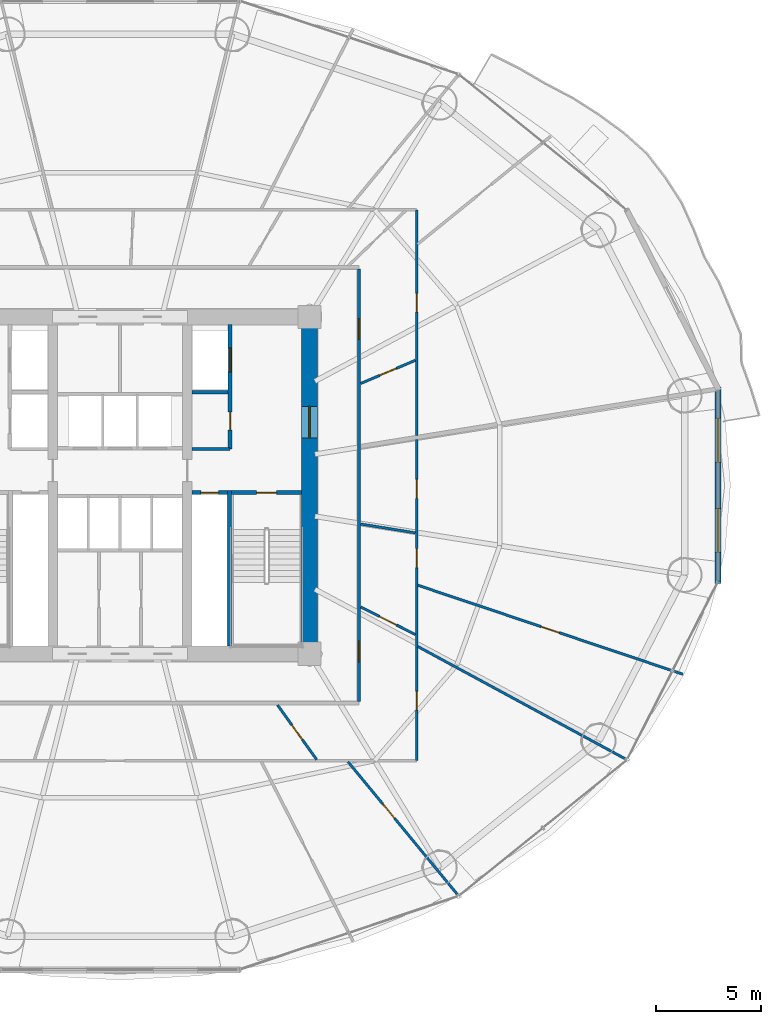
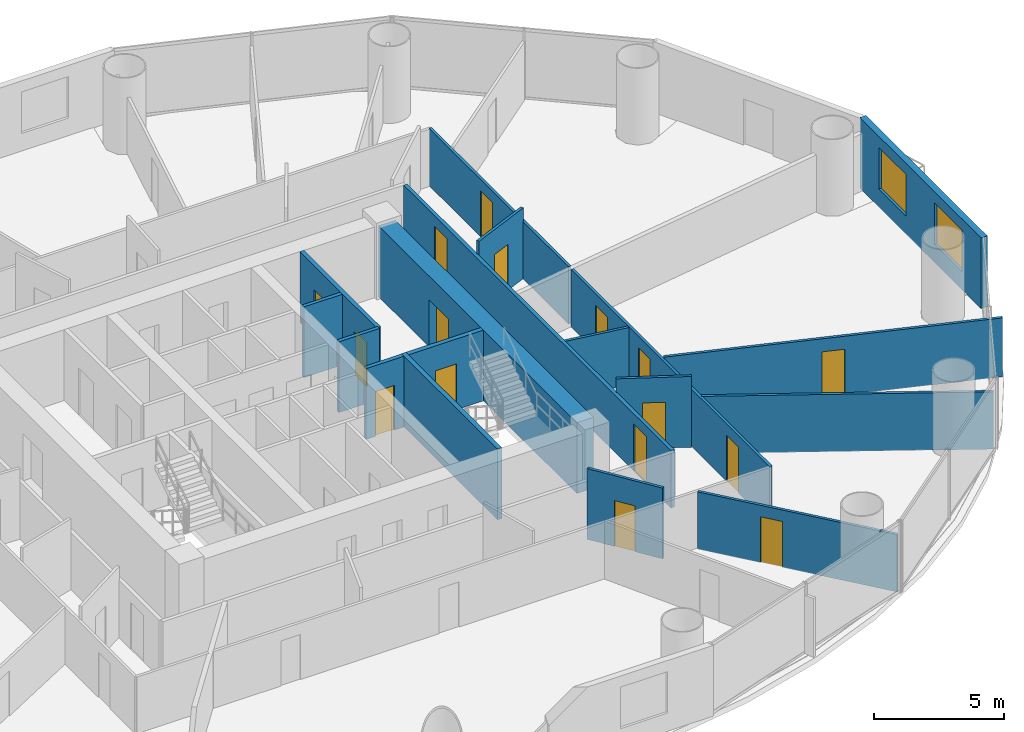
# One storey, part 23 of 28: 18 walls, 16 doors, 2 windows, 18 openings.
"""IFC4 building model written with IfcOpenShell, lengths in metres."""

from ifc_helpers import new_model, si_unit, direction, frame, frame_2d, origin, place, context, subcontext, project, spatial, rectangle, extrude, source, transform, mapped, material, layer, layer_set, type_object, element, fill, save


model = new_model("IFC4")

# Units and contexts
model_context = context("Model", 3, precision=1e-05, world=origin(), true_north=direction((-0.2419218956, 0.970295726276)))
body_context = subcontext(model_context, "Body", "Model", "MODEL_VIEW")
ifc_project = project(units=[si_unit("LENGTHUNIT", "METRE"), si_unit("AREAUNIT", "SQUARE_METRE"), si_unit("VOLUMEUNIT", "CUBIC_METRE"), si_unit("PLANEANGLEUNIT", "RADIAN"), si_unit("MASSUNIT", "GRAM", prefix="KILO")], contexts=[model_context])

# Site, building, storey
site_placement = place(None, origin())
site = spatial("IfcSite", under=ifc_project, at=site_placement, CompositionType="ELEMENT")
building_placement = place(site_placement, origin())
building = spatial("IfcBuilding", under=site, at=building_placement, Name="Cobrevalo Terracotta Tower", CompositionType="ELEMENT")
storey_placement = place(building_placement, frame((0.0, 0.0, 34.800048828125)))
storey = spatial("IfcBuildingStorey", under=building, at=storey_placement, Name="L08", CompositionType="ELEMENT", Elevation=34.800048828125)

# Wall, opening, door
ifc_material_1 = material(Name="Concrete C60", Category="concrete")
ifc_layer_1 = layer(ifc_material_1, 0.75)
ifc_layer_set_1 = layer_set([ifc_layer_1], Name="Concrete C60")
wall_type_1 = type_object("IfcWallType", Name="Core shear wall 750 mm Concrete C60", PredefinedType="SHEAR", material=ifc_layer_set_1)
wall_1_placement = place(storey_placement, frame((47.0, 19.175048828125, 0.0), z_axis=(0.0, 0.0, 1.0), x_axis=(0.0, 1.0, 0.0)))
wall_1 = element("IfcWall", 1, at=wall_1_placement, inside=storey, type_object=wall_type_1, Name="L08 east core shear wall", PredefinedType="SHEAR", context=body_context, shape_type="SweptSolid", body=[
    extrude(rectangle(XDim=15.25, YDim=0.75, at=frame_2d((7.625, 0.0))), origin(), (0.0, 0.0, 1.0), 3.320068359375),
])
opening_1_placement = place(wall_1_placement, frame((9.875, 0.0, 0.0)))
opening_1 = element("IfcOpeningElement", 2, at=opening_1_placement, cuts=wall_1, Name="Opening ID-14", PredefinedType="OPENING", context=body_context, shape_type="SweptSolid", body=[
    extrude(rectangle(XDim=1.5, YDim=2.199951171875, at=frame_2d((0.75, 1.10009765625))), frame((0.0, 0.385009765625, 0.0), z_axis=(0.0, -1.0, 0.0), x_axis=(1.0, 0.0, 0.0)), (0.0, 0.0, 1.0), 0.77001953125),
])
ifc_material_2 = material(Name="Galvanized fire-rated steel", Category="steel")
door_type_1 = type_object("IfcDoorType", Name="Core cross-lobby double fire door 1500x2200 EI 90", OperationType="NOTDEFINED", PredefinedType="DOOR", material=ifc_material_2)
shared_shape_1 = source(origin(), body_context, "Body", "SweptSolid", [
    extrude(rectangle(XDim=1.5, YDim=2.199951171875, at=frame_2d((0.75, 1.10009765625))), frame((0.0, 0.02490234375, 0.0), z_axis=(0.0, -1.0, 0.0), x_axis=(1.0, 0.0, 0.0)), (0.0, 0.0, 1.0), 0.050048828125),
])
door_1_placement = place(opening_1_placement, frame((1.5, 0.0, 0.0), z_axis=(0.0, 0.0, 1.0), x_axis=(-1.0, 0.0, 0.0)))
door_1 = element("IfcDoor", 3, at=door_1_placement, inside=storey, type_object=door_type_1, Name="L08 east firefighting lobby entrance door", OperationType="DOUBLE_DOOR_SINGLE_SWING", OverallHeight=2.199951171875, OverallWidth=1.5, PredefinedType="DOOR", context=body_context, shape_type="MappedRepresentation", body=[
    mapped(shared_shape_1, transform((0.0, 0.0, 0.0), scale=1.0)),
])
fill(opening_1, door_1)

# Walls
ifc_material_3 = material(Name="Gypsum board on steel stud", Category="steel")
ifc_layer_2 = layer(ifc_material_3, 0.159912109375)
ifc_layer_set_2 = layer_set([ifc_layer_2], Name="Gypsum board on steel stud")
wall_type_2 = type_object("IfcWallType", Name="Fire-rated corridor acoustic partition wall 160 mm", PredefinedType="PARTITIONING", material=ifc_layer_set_2)
wall_2_placement = place(storey_placement, frame((41.425048828125, 31.219970703125, 0.0), z_axis=(0.0, 0.0, 1.0), x_axis=(1.0, 0.0, 0.0)))
element("IfcWall", 4, at=wall_2_placement, inside=storey, type_object=wall_type_2, Name="L08 interior partition IW-L08-FF2-M", PredefinedType="PARTITIONING", context=body_context, shape_type="SweptSolid", body=[
    extrude(rectangle(XDim=1.71484375, YDim=0.159912109375, at=frame_2d((0.857421875, 0.0))), origin(), (0.0, 0.0, 1.0), 3.320068359375),
])
wall_3_placement = place(storey_placement, frame((41.425048828125, 28.52001953125, 0.0), z_axis=(0.0, 0.0, 1.0), x_axis=(1.0, 0.0, 0.0)))
element("IfcWall", 5, at=wall_3_placement, inside=storey, type_object=wall_type_2, Name="L08 interior partition IW-L08-FF2-S", PredefinedType="PARTITIONING", context=body_context, shape_type="SweptSolid", body=[
    extrude(rectangle(XDim=1.804931640625, YDim=0.159912109375, at=frame_2d((0.90234375, 0.0))), origin(), (0.0, 0.0, 1.0), 3.320068359375),
])

# Wall, openings, doors
wall_4_placement = place(storey_placement, frame((49.35498046875, 16.52490234375, 0.0), z_axis=(0.0, 0.0, 1.0), x_axis=(0.0, 1.0, 0.0)))
wall_4 = element("IfcWall", 6, at=wall_4_placement, inside=storey, type_object=wall_type_2, Name="L08 interior partition IW-L08-COR-E", PredefinedType="PARTITIONING", context=body_context, shape_type="SweptSolid", body=[
    extrude(rectangle(XDim=20.550048828125, YDim=0.159912109375, at=frame_2d((10.27490234375, 0.0))), origin(), (0.0, 0.0, 1.0), 2.68798828125),
])
opening_2_placement = place(wall_4_placement, frame((17.20654296875, 0.0, 0.0)))
opening_2 = element("IfcOpeningElement", 7, at=opening_2_placement, cuts=wall_4, Name="Opening ID-05", PredefinedType="OPENING", context=body_context, shape_type="SweptSolid", body=[
    extrude(rectangle(XDim=0.97998046875, YDim=2.199951171875, at=frame_2d((0.489990234375, 1.10009765625))), frame((0.0, 0.08984375, 0.0), z_axis=(0.0, -1.0, 0.0), x_axis=(1.0, 0.0, 0.0)), (0.0, 0.0, 1.0), 0.179931640625),
])
opening_3_placement = place(wall_4_placement, frame((1.89208984375, 0.0, 0.0)))
opening_3 = element("IfcOpeningElement", 8, at=opening_3_placement, cuts=wall_4, Name="Opening ID-05", PredefinedType="OPENING", context=body_context, shape_type="SweptSolid", body=[
    extrude(rectangle(XDim=0.97998046875, YDim=2.199951171875, at=frame_2d((0.489990234375, 1.10009765625))), frame((0.0, 0.08984375, 0.0), z_axis=(0.0, -1.0, 0.0), x_axis=(1.0, 0.0, 0.0)), (0.0, 0.0, 1.0), 0.179931640625),
])
ifc_material_4 = material(Name="Solid hardwood timber", Category="wood")
door_type_2 = type_object("IfcDoorType", Name="Residence entrance fire-rated acoustic timber door 980x2200 EI 60", OperationType="NOTDEFINED", PredefinedType="DOOR", material=ifc_material_4)
shared_shape_2 = source(origin(), body_context, "Body", "SweptSolid", [
    extrude(rectangle(XDim=0.97998046875, YDim=2.199951171875, at=frame_2d((0.489990234375, 1.10009765625))), frame((0.0, 0.02490234375, 0.0), z_axis=(0.0, -1.0, 0.0), x_axis=(1.0, 0.0, 0.0)), (0.0, 0.0, 1.0), 0.050048828125),
])
door_2_placement = place(opening_2_placement, frame((0.97998046875, 0.0, 0.0), z_axis=(0.0, 0.0, 1.0), x_axis=(-1.0, 0.0, 0.0)))
door_2 = element("IfcDoor", 9, at=door_2_placement, inside=storey, type_object=door_type_2, Name="Flat L08A fire-rated apartment entrance door", OperationType="SINGLE_SWING_LEFT", OverallHeight=2.199951171875, OverallWidth=0.97998046875, PredefinedType="DOOR", context=body_context, shape_type="MappedRepresentation", body=[
    mapped(shared_shape_2, transform((0.0, 0.0, 0.0), scale=1.0)),
])
fill(opening_2, door_2)
door_3_placement = place(opening_3_placement, frame((0.97998046875, 0.0, 0.0), z_axis=(0.0, 0.0, 1.0), x_axis=(-1.0, 0.0, 0.0)))
door_3 = element("IfcDoor", 10, at=door_3_placement, inside=storey, type_object=door_type_2, Name="Flat L08C fire-rated apartment entrance door", OperationType="SINGLE_SWING_LEFT", OverallHeight=2.199951171875, OverallWidth=0.97998046875, PredefinedType="DOOR", context=body_context, shape_type="MappedRepresentation", body=[
    mapped(shared_shape_2, transform((0.0, 0.0, 0.0), scale=1.0)),
])
fill(opening_3, door_3)

# Wall, opening, door
ifc_layer_3 = layer(ifc_material_3, 0.179931640625)
ifc_layer_set_3 = layer_set([ifc_layer_3], Name="Gypsum board on steel stud")
wall_type_3 = type_object("IfcWallType", Name="Fire-rated shaft & lobby acoustic partition wall 180 mm", PredefinedType="PARTITIONING", material=ifc_layer_set_3)
wall_5_placement = place(storey_placement, frame((41.425048828125, 26.449951171875, 0.0), z_axis=(0.0, 0.0, 1.0), x_axis=(1.0, 0.0, 0.0)))
wall_5 = element("IfcWall", 11, at=wall_5_placement, inside=storey, type_object=wall_type_3, Name="L08 interior partition IW-L08-RSE-N", PredefinedType="PARTITIONING", context=body_context, shape_type="SweptSolid", body=[
    extrude(rectangle(XDim=1.675048828125, YDim=0.179931640625, at=frame_2d((0.83740234375, 0.0))), origin(), (0.0, 0.0, 1.0), 3.320068359375),
])
opening_4_placement = place(wall_5_placement, frame((0.41259765625, 0.0, 0.0)))
opening_4 = element("IfcOpeningElement", 12, at=opening_4_placement, cuts=wall_5, Name="Opening ID-22", PredefinedType="OPENING", context=body_context, shape_type="SweptSolid", body=[
    extrude(rectangle(XDim=0.85009765625, YDim=2.10009765625, at=frame_2d((0.425048828125, 1.050048828125))), frame((0.0, 0.10009765625, 0.0), z_axis=(0.0, -1.0, 0.0), x_axis=(1.0, 0.0, 0.0)), (0.0, 0.0, 1.0), 0.199951171875),
])
ifc_material_5 = material(Name="Powder-coated steel", Category="steel")
door_type_3 = type_object("IfcDoorType", Name="Riser shaft & meter closet fire access door 850x2100 EI 60", OperationType="NOTDEFINED", PredefinedType="DOOR", material=ifc_material_5)
shared_shape_3 = source(origin(), body_context, "Body", "SweptSolid", [
    extrude(rectangle(XDim=0.85009765625, YDim=2.10009765625, at=frame_2d((0.425048828125, 1.050048828125))), frame((0.0, 0.02490234375, 0.0), z_axis=(0.0, -1.0, 0.0), x_axis=(1.0, 0.0, 0.0)), (0.0, 0.0, 1.0), 0.050048828125),
])
door_4_placement = place(opening_4_placement, origin())
door_4 = element("IfcDoor", 13, at=door_4_placement, inside=storey, type_object=door_type_3, Name="L08 riser access door RSE", OperationType="SINGLE_SWING_RIGHT", OverallHeight=2.10009765625, OverallWidth=0.85009765625, PredefinedType="DOOR", context=body_context, shape_type="MappedRepresentation", body=[
    mapped(shared_shape_3, transform((0.0, 0.0, 0.0), scale=1.0)),
])
fill(opening_4, door_4)

# Wall, openings, doors
wall_6_placement = place(storey_placement, frame((43.22998046875, 28.52001953125, 0.0), z_axis=(0.0, 0.0, 1.0), x_axis=(0.0, 1.0, 0.0)))
wall_6 = element("IfcWall", 14, at=wall_6_placement, inside=storey, type_object=wall_type_3, Name="L08 interior partition IW-L08-FF2-E", PredefinedType="PARTITIONING", context=body_context, shape_type="SweptSolid", body=[
    extrude(rectangle(XDim=5.905029296875, YDim=0.179931640625, at=frame_2d((2.95263671875, 0.0))), origin(), (0.0, 0.0, 1.0), 3.320068359375),
])
opening_5_placement = place(wall_6_placement, frame((0.905029296875, 0.0, 0.0)))
opening_5 = element("IfcOpeningElement", 15, at=opening_5_placement, cuts=wall_6, Name="Opening ID-22", PredefinedType="OPENING", context=body_context, shape_type="SweptSolid", body=[
    extrude(rectangle(XDim=0.85009765625, YDim=2.10009765625, at=frame_2d((0.425048828125, 1.050048828125))), frame((0.0, 0.10009765625, 0.0), z_axis=(0.0, -1.0, 0.0), x_axis=(1.0, 0.0, 0.0)), (0.0, 0.0, 1.0), 0.199951171875),
])
opening_6_placement = place(wall_6_placement, frame((3.655029296875, 0.0, 0.0)))
opening_6 = element("IfcOpeningElement", 16, at=opening_6_placement, cuts=wall_6, Name="Opening LD-02", PredefinedType="OPENING", context=body_context, shape_type="SweptSolid", body=[
    extrude(rectangle(XDim=1.14990234375, YDim=2.199951171875, at=frame_2d((0.574951171875, 1.10009765625))), frame((0.0, 0.10009765625, 0.0), z_axis=(0.0, -1.0, 0.0), x_axis=(1.0, 0.0, 0.0)), (0.0, 0.0, 1.0), 0.199951171875),
])
door_5_placement = place(opening_5_placement, frame((0.85009765625, 0.0, 0.0), z_axis=(0.0, 0.0, 1.0), x_axis=(-1.0, 0.0, 0.0)))
door_5 = element("IfcDoor", 17, at=door_5_placement, inside=storey, type_object=door_type_3, Name="L08 housekeeping store door", OperationType="SINGLE_SWING_RIGHT", OverallHeight=2.10009765625, OverallWidth=0.85009765625, PredefinedType="DOOR", context=body_context, shape_type="MappedRepresentation", body=[
    mapped(shared_shape_3, transform((0.0, 0.0, 0.0), scale=1.0)),
])
fill(opening_5, door_5)
ifc_material_6 = material(Name="Brushed stainless steel", Category="steel")
door_type_4 = type_object("IfcDoorType", Name="Firefighting lift landing bi-parting sliding door 1150x2200 EI 120", OperationType="DOUBLE_DOOR_SLIDING", PredefinedType="DOOR", material=ifc_material_6)
shared_shape_4 = source(origin(), body_context, "Body", "SweptSolid", [
    extrude(rectangle(XDim=1.14990234375, YDim=2.199951171875, at=frame_2d((0.574951171875, 1.10009765625))), frame((0.0, 0.02490234375, 0.0), z_axis=(0.0, -1.0, 0.0), x_axis=(1.0, 0.0, 0.0)), (0.0, 0.0, 1.0), 0.050048828125),
])
door_6_placement = place(opening_6_placement, origin())
door_6 = element("IfcDoor", 18, at=door_6_placement, inside=storey, type_object=door_type_4, Name="L08 lift landing door FF-2", OperationType="DOUBLE_DOOR_SLIDING", OverallHeight=2.199951171875, OverallWidth=1.14990234375, PredefinedType="DOOR", context=body_context, shape_type="MappedRepresentation", body=[
    mapped(shared_shape_4, transform((0.0, 0.0, 0.0), scale=1.0)),
])
fill(opening_6, door_6)

# Wall, openings, windows
ifc_material_7 = material(Name="Autoclaved aerated concrete block", Category="concrete")
ifc_layer_4 = layer(ifc_material_7, 0.280029296875)
ifc_layer_set_4 = layer_set([ifc_layer_4], Name="Autoclaved aerated concrete block")
wall_type_4 = type_object("IfcWallType", Name="Insulated tower spandrel & pier wall 280 mm with terracotta rainscreen", PredefinedType="SOLIDWALL", material=ifc_layer_set_4)
wall_7_placement = place(storey_placement, frame((66.413330078125, 22.14111328125, 0.0), z_axis=(0.0, 0.0, 1.0), x_axis=(0.0, 1.0, 0.0)))
wall_7 = element("IfcWall", 19, at=wall_7_placement, inside=storey, type_object=wall_type_4, Name="L08 terracotta rainscreen pier wall S16", PredefinedType="SOLIDWALL", context=body_context, shape_type="SweptSolid", body=[
    extrude(rectangle(XDim=9.317626953125, YDim=0.280029296875, at=frame_2d((4.65869140625, 0.0))), origin(), (0.0, 0.0, 1.0), 3.320068359375),
])
opening_7_placement = place(wall_7_placement, frame((1.4658203125, 0.0, 0.85009765625)))
opening_7 = element("IfcOpeningElement", 20, at=opening_7_placement, cuts=wall_7, Name="Opening WN-10", PredefinedType="OPENING", context=body_context, shape_type="SweptSolid", body=[
    extrude(rectangle(XDim=2.10009765625, YDim=1.949951171875, at=frame_2d((1.050048828125, 0.97509765625))), frame((0.0, 0.14990234375, 0.0), z_axis=(0.0, -1.0, 0.0), x_axis=(1.0, 0.0, 0.0)), (0.0, 0.0, 1.0), 0.300048828125),
])
opening_8_placement = place(wall_7_placement, frame((5.751708984375, 0.0, 0.85009765625)))
opening_8 = element("IfcOpeningElement", 21, at=opening_8_placement, cuts=wall_7, Name="Opening WN-10", PredefinedType="OPENING", context=body_context, shape_type="SweptSolid", body=[
    extrude(rectangle(XDim=2.10009765625, YDim=1.949951171875, at=frame_2d((1.050048828125, 0.97509765625))), frame((0.0, 0.14990234375, 0.0), z_axis=(0.0, -1.0, 0.0), x_axis=(1.0, 0.0, 0.0)), (0.0, 0.0, 1.0), 0.300048828125),
])
ifc_material_8 = material(Name="Solar-control low-E double glazing", Category="glass")
window_type = type_object("IfcWindowType", Name="Wide panoramic low-E aluminium window 2100x1950", PartitioningType="SINGLE_PANEL", PredefinedType="WINDOW", material=ifc_material_8)
shared_shape_5 = source(origin(), body_context, "Body", "SweptSolid", [
    extrude(rectangle(XDim=2.10009765625, YDim=1.949951171875, at=frame_2d((1.050048828125, 0.97509765625))), frame((0.0, 0.030029296875, 0.0), z_axis=(0.0, -1.0, 0.0), x_axis=(1.0, 0.0, 0.0)), (0.0, 0.0, 1.0), 0.06005859375),
])
window_1_placement = place(opening_7_placement, origin())
window_1 = element("IfcWindow", 22, at=window_1_placement, inside=storey, type_object=window_type, Name="L08 suite window S16A", OverallHeight=1.949951171875, OverallWidth=2.10009765625, PartitioningType="SINGLE_PANEL", PredefinedType="WINDOW", context=body_context, shape_type="MappedRepresentation", body=[
    mapped(shared_shape_5, transform((0.0, 0.0, 0.0), scale=1.0)),
])
fill(opening_7, window_1)
window_2_placement = place(opening_8_placement, origin())
window_2 = element("IfcWindow", 23, at=window_2_placement, inside=storey, type_object=window_type, Name="L08 suite window S16B", OverallHeight=1.949951171875, OverallWidth=2.10009765625, PartitioningType="SINGLE_PANEL", PredefinedType="WINDOW", context=body_context, shape_type="MappedRepresentation", body=[
    mapped(shared_shape_5, transform((0.0, 0.0, 0.0), scale=1.0)),
])
fill(opening_8, window_2)

# Wall, opening, door
ifc_layer_5 = layer(ifc_material_3, 0.1201171875)
ifc_layer_set_5 = layer_set([ifc_layer_5], Name="Gypsum board on steel stud")
wall_type_5 = type_object("IfcWallType", Name="Residential internal acoustic stud partition 120 mm", PredefinedType="PARTITIONING", material=ifc_layer_set_5)
wall_8_placement = place(storey_placement, frame((52.0849609375, 39.885009765625, 0.0), z_axis=(0.0, 0.0, 1.0), x_axis=(0.0, -1.0, 0.0)))
wall_8 = element("IfcWall", 24, at=wall_8_placement, inside=storey, type_object=wall_type_5, Name="L08 interior partition IW-L08-U1-RING1_0", PredefinedType="PARTITIONING", context=body_context, shape_type="SweptSolid", body=[
    extrude(rectangle(XDim=10.712646484375, YDim=0.1201171875, at=frame_2d((5.3564453125, 0.0))), origin(), (0.0, 0.0, 1.0), 2.68798828125),
])
opening_9_placement = place(wall_8_placement, frame((3.96533203125, 0.0, 0.0)))
opening_9 = element("IfcOpeningElement", 25, at=opening_9_placement, cuts=wall_8, Name="Opening ID-12", PredefinedType="OPENING", context=body_context, shape_type="SweptSolid", body=[
    extrude(rectangle(XDim=0.89990234375, YDim=2.14990234375, at=frame_2d((0.449951171875, 1.074951171875))), frame((0.0, 0.070068359375, 0.0), z_axis=(0.0, -1.0, 0.0), x_axis=(1.0, 0.0, 0.0)), (0.0, 0.0, 1.0), 0.14013671875),
])
ifc_material_9 = material(Name="Engineered timber", Category="wood")
door_type_5 = type_object("IfcDoorType", Name="Internal residence & suite timber door 900x2150", OperationType="NOTDEFINED", PredefinedType="DOOR", material=ifc_material_9)
shared_shape_6 = source(origin(), body_context, "Body", "SweptSolid", [
    extrude(rectangle(XDim=0.89990234375, YDim=2.14990234375, at=frame_2d((0.449951171875, 1.074951171875))), frame((0.0, 0.02490234375, 0.0), z_axis=(0.0, -1.0, 0.0), x_axis=(1.0, 0.0, 0.0)), (0.0, 0.0, 1.0), 0.050048828125),
])
door_7_placement = place(opening_9_placement, origin())
door_7 = element("IfcDoor", 26, at=door_7_placement, inside=storey, type_object=door_type_5, Name="Flat L08A Penthouse Living and Dining Room internal door", OperationType="SINGLE_SWING_LEFT", OverallHeight=2.14990234375, OverallWidth=0.89990234375, PredefinedType="DOOR", context=body_context, shape_type="MappedRepresentation", body=[
    mapped(shared_shape_6, transform((0.0, 0.0, 0.0), scale=1.0)),
])
fill(opening_9, door_7)

wall_9_placement = place(storey_placement, frame((49.43505859375, 31.636474609375, 0.0), z_axis=(0.0, 0.0, 1.0), x_axis=(0.920969644836, 0.389634332792, 0.0)))
wall_9 = element("IfcWall", 27, at=wall_9_placement, inside=storey, type_object=wall_type_5, Name="L08 interior partition IW-L08-U1-IRAD1", PredefinedType="PARTITIONING", context=body_context, shape_type="SweptSolid", body=[
    extrude(rectangle(XDim=2.815185546875, YDim=0.1201171875, at=frame_2d((1.40771484375, 0.0))), origin(), (0.0, 0.0, 1.0), 3.320068359375),
])
opening_10_placement = place(wall_9_placement, frame((0.9775390625, 0.0, 0.0)))
opening_10 = element("IfcOpeningElement", 28, at=opening_10_placement, cuts=wall_9, Name="Opening ID-19", PredefinedType="OPENING", context=body_context, shape_type="SweptSolid", body=[
    extrude(rectangle(XDim=0.860107421875, YDim=2.14990234375, at=frame_2d((0.43017578125, 1.074951171875))), frame((0.0, 0.070068359375, 0.0), z_axis=(0.0, -1.0, 0.0), x_axis=(1.0, 0.0, 0.0)), (0.0, 0.0, 1.0), 0.14013671875),
])
ifc_material_10 = material(Name="Moisture-sealed timber", Category="wood")
door_type_6 = type_object("IfcDoorType", Name="Suite bathroom internal timber door 860x2150", OperationType="NOTDEFINED", PredefinedType="DOOR", material=ifc_material_10)
shared_shape_7 = source(origin(), body_context, "Body", "SweptSolid", [
    extrude(rectangle(XDim=0.860107421875, YDim=2.14990234375, at=frame_2d((0.43017578125, 1.074951171875))), frame((0.0, 0.02490234375, 0.0), z_axis=(0.0, -1.0, 0.0), x_axis=(1.0, 0.0, 0.0)), (0.0, 0.0, 1.0), 0.050048828125),
])
door_8_placement = place(opening_10_placement, frame((0.860107421875, 0.0, 0.0), z_axis=(0.0, 0.0, 1.0), x_axis=(-1.0, 0.0, 0.0)))
door_8 = element("IfcDoor", 29, at=door_8_placement, inside=storey, type_object=door_type_6, Name="Flat L08A Primary Bathroom internal door", OperationType="SINGLE_SWING_RIGHT", OverallHeight=2.14990234375, OverallWidth=0.860107421875, PredefinedType="DOOR", context=body_context, shape_type="MappedRepresentation", body=[
    mapped(shared_shape_7, transform((0.0, 0.0, 0.0), scale=1.0)),
])
fill(opening_10, door_8)

# Wall, openings, doors
wall_10_placement = place(storey_placement, frame((52.0849609375, 28.96826171875, 0.0), z_axis=(0.0, 0.0, 1.0), x_axis=(0.0, -1.0, 0.0)))
wall_10 = element("IfcWall", 30, at=wall_10_placement, inside=storey, type_object=wall_type_5, Name="L08 interior partition IW-L08-U3-RING0_0", PredefinedType="PARTITIONING", context=body_context, shape_type="SweptSolid", body=[
    extrude(rectangle(XDim=15.253173828125, YDim=0.1201171875, at=frame_2d((7.62646484375, 0.0))), origin(), (0.0, 0.0, 1.0), 2.68798828125),
])
opening_11_placement = place(wall_10_placement, frame((11.9541015625, 0.0, 0.0)))
opening_11 = element("IfcOpeningElement", 31, at=opening_11_placement, cuts=wall_10, Name="Opening ID-12", PredefinedType="OPENING", context=body_context, shape_type="SweptSolid", body=[
    extrude(rectangle(XDim=0.89990234375, YDim=2.14990234375, at=frame_2d((0.449951171875, 1.074951171875))), frame((0.0, 0.070068359375, 0.0), z_axis=(0.0, -1.0, 0.0), x_axis=(1.0, 0.0, 0.0)), (0.0, 0.0, 1.0), 0.14013671875),
])
opening_12_placement = place(wall_10_placement, frame((5.182373046875, 0.0, 0.0)))
opening_12 = element("IfcOpeningElement", 32, at=opening_12_placement, cuts=wall_10, Name="Opening ID-12", PredefinedType="OPENING", context=body_context, shape_type="SweptSolid", body=[
    extrude(rectangle(XDim=0.89990234375, YDim=2.14990234375, at=frame_2d((0.449951171875, 1.074951171875))), frame((0.0, 0.070068359375, 0.0), z_axis=(0.0, -1.0, 0.0), x_axis=(1.0, 0.0, 0.0)), (0.0, 0.0, 1.0), 0.14013671875),
])
opening_13_placement = place(wall_10_placement, frame((1.88916015625, 0.0, 0.0)))
opening_13 = element("IfcOpeningElement", 33, at=opening_13_placement, cuts=wall_10, Name="Opening ID-12", PredefinedType="OPENING", context=body_context, shape_type="SweptSolid", body=[
    extrude(rectangle(XDim=0.89990234375, YDim=2.14990234375, at=frame_2d((0.449951171875, 1.074951171875))), frame((0.0, 0.070068359375, 0.0), z_axis=(0.0, -1.0, 0.0), x_axis=(1.0, 0.0, 0.0)), (0.0, 0.0, 1.0), 0.14013671875),
])
door_9_placement = place(opening_11_placement, origin())
door_9 = element("IfcDoor", 34, at=door_9_placement, inside=storey, type_object=door_type_5, Name="Flat L08C Penthouse Family Lounge internal door", OperationType="SINGLE_SWING_RIGHT", OverallHeight=2.14990234375, OverallWidth=0.89990234375, PredefinedType="DOOR", context=body_context, shape_type="MappedRepresentation", body=[
    mapped(shared_shape_6, transform((0.0, 0.0, 0.0), scale=1.0)),
])
fill(opening_11, door_9)
door_10_placement = place(opening_12_placement, origin())
door_10 = element("IfcDoor", 35, at=door_10_placement, inside=storey, type_object=door_type_5, Name="Flat L08C Penthouse Family Lounge internal door", OperationType="SINGLE_SWING_LEFT", OverallHeight=2.14990234375, OverallWidth=0.89990234375, PredefinedType="DOOR", context=body_context, shape_type="MappedRepresentation", body=[
    mapped(shared_shape_6, transform((0.0, 0.0, 0.0), scale=1.0)),
])
fill(opening_12, door_10)
door_11_placement = place(opening_13_placement, frame((0.89990234375, 0.0, 0.0), z_axis=(0.0, 0.0, 1.0), x_axis=(-1.0, 0.0, 0.0)))
door_11 = element("IfcDoor", 36, at=door_11_placement, inside=storey, type_object=door_type_5, Name="Flat L08C Home Office Study internal door", OperationType="SINGLE_SWING_RIGHT", OverallHeight=2.14990234375, OverallWidth=0.89990234375, PredefinedType="DOOR", context=body_context, shape_type="MappedRepresentation", body=[
    mapped(shared_shape_6, transform((0.0, 0.0, 0.0), scale=1.0)),
])
fill(opening_13, door_11)

# Wall, opening, door
wall_11_placement = place(storey_placement, frame((48.828857421875, 13.667236328125, 0.0), z_axis=(0.0, 0.0, 1.0), x_axis=(0.636177533893, -0.771542704826, 0.0)))
wall_11 = element("IfcWall", 37, at=wall_11_placement, inside=storey, type_object=wall_type_5, Name="L08 interior partition IW-L08-U3-ORAD2M1", PredefinedType="PARTITIONING", context=body_context, shape_type="SweptSolid", body=[
    extrude(rectangle(XDim=8.1865234375, YDim=0.1201171875, at=frame_2d((4.09326171875, 0.0))), origin(), (0.0, 0.0, 1.0), 2.68798828125),
])
opening_14_placement = place(wall_11_placement, frame((2.584228515625, 0.0, 0.0)))
opening_14 = element("IfcOpeningElement", 38, at=opening_14_placement, cuts=wall_11, Name="Opening ID-12", PredefinedType="OPENING", context=body_context, shape_type="SweptSolid", body=[
    extrude(rectangle(XDim=0.89990234375, YDim=2.14990234375, at=frame_2d((0.449951171875, 1.074951171875))), frame((0.0, 0.070068359375, 0.0), z_axis=(0.0, -1.0, 0.0), x_axis=(1.0, 0.0, 0.0)), (0.0, 0.0, 1.0), 0.14013671875),
])
door_12_placement = place(opening_14_placement, frame((0.89990234375, 0.0, 0.0), z_axis=(0.0, 0.0, 1.0), x_axis=(-1.0, 0.0, 0.0)))
door_12 = element("IfcDoor", 39, at=door_12_placement, inside=storey, type_object=door_type_5, Name="Flat L08C Master Bedroom internal door", OperationType="SINGLE_SWING_LEFT", OverallHeight=2.14990234375, OverallWidth=0.89990234375, PredefinedType="DOOR", context=body_context, shape_type="MappedRepresentation", body=[
    mapped(shared_shape_6, transform((0.0, 0.0, 0.0), scale=1.0)),
])
fill(opening_14, door_12)

# Wall
wall_12_placement = place(storey_placement, frame((52.139404296875, 19.14404296875, 0.0), z_axis=(0.0, 0.0, 1.0), x_axis=(0.879372452045, -0.476134529922, 0.0)))
element("IfcWall", 40, at=wall_12_placement, inside=storey, type_object=wall_type_5, Name="L08 interior partition IW-L08-U3-ORAD2M2", PredefinedType="PARTITIONING", context=body_context, shape_type="SweptSolid", body=[
    extrude(rectangle(XDim=11.219482421875, YDim=0.1201171875, at=frame_2d((5.60986328125, 0.0))), origin(), (0.0, 0.0, 1.0), 2.68798828125),
])

# Wall, opening, door
wall_13_placement = place(storey_placement, frame((52.143798828125, 22.052490234375, 0.0), z_axis=(0.0, 0.0, 1.0), x_axis=(0.948023034133, -0.318201707653, 0.0)))
wall_13 = element("IfcWall", 41, at=wall_13_placement, inside=storey, type_object=wall_type_5, Name="L08 interior partition IW-L08-U3-ORAD2", PredefinedType="PARTITIONING", context=body_context, shape_type="SweptSolid", body=[
    extrude(rectangle(XDim=13.27880859375, YDim=0.1201171875, at=frame_2d((6.639404296875, 0.0))), origin(), (0.0, 0.0, 1.0), 2.761962890625),
])
opening_15_placement = place(wall_13_placement, frame((6.189453125, 0.0, 0.0)))
opening_15 = element("IfcOpeningElement", 42, at=opening_15_placement, cuts=wall_13, Name="Opening ID-12", PredefinedType="OPENING", context=body_context, shape_type="SweptSolid", body=[
    extrude(rectangle(XDim=0.89990234375, YDim=2.14990234375, at=frame_2d((0.449951171875, 1.074951171875))), frame((0.0, 0.070068359375, 0.0), z_axis=(0.0, -1.0, 0.0), x_axis=(1.0, 0.0, 0.0)), (0.0, 0.0, 1.0), 0.14013671875),
])
door_13_placement = place(opening_15_placement, frame((0.89990234375, 0.0, 0.0), z_axis=(0.0, 0.0, 1.0), x_axis=(-1.0, 0.0, 0.0)))
door_13 = element("IfcDoor", 43, at=door_13_placement, inside=storey, type_object=door_type_5, Name="Flat L08C Principal Guest Bedroom internal door", OperationType="SINGLE_SWING_RIGHT", OverallHeight=2.14990234375, OverallWidth=0.89990234375, PredefinedType="DOOR", context=body_context, shape_type="MappedRepresentation", body=[
    mapped(shared_shape_6, transform((0.0, 0.0, 0.0), scale=1.0)),
])
fill(opening_15, door_13)

wall_14_placement = place(storey_placement, frame((45.479736328125, 16.364990234375, 0.0), z_axis=(0.0, 0.0, 1.0), x_axis=(0.582566008831, -0.812783393872, 0.0)))
wall_14 = element("IfcWall", 44, at=wall_14_placement, inside=storey, type_object=wall_type_5, Name="L08 interior partition IW-L08-U3-IRAD3", PredefinedType="PARTITIONING", context=body_context, shape_type="SweptSolid", body=[
    extrude(rectangle(XDim=3.198486328125, YDim=0.1201171875, at=frame_2d((1.59912109375, 0.0))), origin(), (0.0, 0.0, 1.0), 3.320068359375),
])
opening_16_placement = place(wall_14_placement, frame((1.169189453125, 0.0, 0.0)))
opening_16 = element("IfcOpeningElement", 45, at=opening_16_placement, cuts=wall_14, Name="Opening ID-19", PredefinedType="OPENING", context=body_context, shape_type="SweptSolid", body=[
    extrude(rectangle(XDim=0.860107421875, YDim=2.14990234375, at=frame_2d((0.43017578125, 1.074951171875))), frame((0.0, 0.070068359375, 0.0), z_axis=(0.0, -1.0, 0.0), x_axis=(1.0, 0.0, 0.0)), (0.0, 0.0, 1.0), 0.14013671875),
])
door_14_placement = place(opening_16_placement, frame((0.860107421875, 0.0, 0.0), z_axis=(0.0, 0.0, 1.0), x_axis=(-1.0, 0.0, 0.0)))
door_14 = element("IfcDoor", 46, at=door_14_placement, inside=storey, type_object=door_type_6, Name="Flat L08C Primary Bathroom internal door", OperationType="SINGLE_SWING_RIGHT", OverallHeight=2.14990234375, OverallWidth=0.860107421875, PredefinedType="DOOR", context=body_context, shape_type="MappedRepresentation", body=[
    mapped(shared_shape_7, transform((0.0, 0.0, 0.0), scale=1.0)),
])
fill(opening_16, door_14)

wall_15_placement = place(storey_placement, frame((49.43505859375, 21.02099609375, 0.0), z_axis=(0.0, 0.0, 1.0), x_axis=(0.892504324967, -0.451038834155, 0.0)))
wall_15 = element("IfcWall", 47, at=wall_15_placement, inside=storey, type_object=wall_type_5, Name="L08 interior partition IW-L08-U3-IRAD4", PredefinedType="PARTITIONING", context=body_context, shape_type="SweptSolid", body=[
    extrude(rectangle(XDim=2.9072265625, YDim=0.1201171875, at=frame_2d((1.45361328125, 0.0))), origin(), (0.0, 0.0, 1.0), 3.320068359375),
])
opening_17_placement = place(wall_15_placement, frame((1.003662109375, 0.0, 0.0)))
opening_17 = element("IfcOpeningElement", 48, at=opening_17_placement, cuts=wall_15, Name="Opening ID-12", PredefinedType="OPENING", context=body_context, shape_type="SweptSolid", body=[
    extrude(rectangle(XDim=0.89990234375, YDim=2.14990234375, at=frame_2d((0.449951171875, 1.074951171875))), frame((0.0, 0.070068359375, 0.0), z_axis=(0.0, -1.0, 0.0), x_axis=(1.0, 0.0, 0.0)), (0.0, 0.0, 1.0), 0.14013671875),
])
door_15_placement = place(opening_17_placement, origin())
door_15 = element("IfcDoor", 49, at=door_15_placement, inside=storey, type_object=door_type_5, Name="Flat L08C Kitchen internal door", OperationType="SINGLE_SWING_LEFT", OverallHeight=2.14990234375, OverallWidth=0.89990234375, PredefinedType="DOOR", context=body_context, shape_type="MappedRepresentation", body=[
    mapped(shared_shape_6, transform((0.0, 0.0, 0.0), scale=1.0)),
])
fill(opening_17, door_15)

# Walls
wall_16_placement = place(storey_placement, frame((49.43505859375, 24.956787109375, 0.0), z_axis=(0.0, 0.0, 1.0), x_axis=(0.987258113076, -0.159127050386, 0.0)))
element("IfcWall", 50, at=wall_16_placement, inside=storey, type_object=wall_type_5, Name="L08 interior partition IW-L08-U3-IRAD5", PredefinedType="PARTITIONING", context=body_context, shape_type="SweptSolid", body=[
    extrude(rectangle(XDim=2.6220703125, YDim=0.1201171875, at=frame_2d((1.31103515625, 0.0))), origin(), (0.0, 0.0, 1.0), 2.68798828125),
])
ifc_material_11 = material(Name="Concrete C50", Category="concrete")
ifc_layer_6 = layer(ifc_material_11, 0.199951171875)
ifc_layer_set_6 = layer_set([ifc_layer_6], Name="Concrete C50")
wall_type_6 = type_object("IfcWallType", Name="Structural core & podium stair-shaft RC wall 200 mm Concrete C50", PredefinedType="SOLIDWALL", material=ifc_layer_set_6)
wall_17_placement = place(storey_placement, frame((43.205078125, 19.175048828125, 0.0), z_axis=(0.0, 0.0, 1.0), x_axis=(0.0, 1.0, 0.0)))
element("IfcWall", 51, at=wall_17_placement, inside=storey, type_object=wall_type_6, Name="L08 ST-2 west structural shaft wall", PredefinedType="SOLIDWALL", context=body_context, shape_type="SweptSolid", body=[
    extrude(rectangle(XDim=7.375, YDim=0.199951171875, at=frame_2d((3.6875, 0.0))), origin(), (0.0, 0.0, 1.0), 3.320068359375),
])

# Wall, opening, door
wall_18_placement = place(storey_placement, frame((43.304931640625, 26.449951171875, 0.0), z_axis=(0.0, 0.0, 1.0), x_axis=(1.0, 0.0, 0.0)))
wall_18 = element("IfcWall", 52, at=wall_18_placement, inside=storey, type_object=wall_type_6, Name="L08 ST-2 north structural shaft wall", PredefinedType="SOLIDWALL", context=body_context, shape_type="SweptSolid", body=[
    extrude(rectangle(XDim=3.320068359375, YDim=0.199951171875, at=frame_2d((1.66015625, 0.0))), origin(), (0.0, 0.0, 1.0), 3.320068359375),
])
opening_18_placement = place(wall_18_placement, frame((1.18505859375, 0.0, 0.0)))
opening_18 = element("IfcOpeningElement", 53, at=opening_18_placement, cuts=wall_18, Name="Opening ID-04", PredefinedType="OPENING", context=body_context, shape_type="SweptSolid", body=[
    extrude(rectangle(XDim=0.949951171875, YDim=2.14990234375, at=frame_2d((0.47509765625, 1.074951171875))), frame((0.0, 0.10986328125, 0.0), z_axis=(0.0, -1.0, 0.0), x_axis=(1.0, 0.0, 0.0)), (0.0, 0.0, 1.0), 0.219970703125),
])
door_type_7 = type_object("IfcDoorType", Name="Stair & firefighting lobby fire door 950x2150 EI 90", OperationType="NOTDEFINED", PredefinedType="DOOR", material=ifc_material_2)
shared_shape_8 = source(origin(), body_context, "Body", "SweptSolid", [
    extrude(rectangle(XDim=0.949951171875, YDim=2.14990234375, at=frame_2d((0.47509765625, 1.074951171875))), frame((0.0, 0.02490234375, 0.0), z_axis=(0.0, -1.0, 0.0), x_axis=(1.0, 0.0, 0.0)), (0.0, 0.0, 1.0), 0.050048828125),
])
door_16_placement = place(opening_18_placement, frame((0.949951171875, 0.0, 0.0), z_axis=(0.0, 0.0, 1.0), x_axis=(-1.0, 0.0, 0.0)))
door_16 = element("IfcDoor", 54, at=door_16_placement, inside=storey, type_object=door_type_7, Name="L08 protected stair ST2 fire door", OperationType="SINGLE_SWING_RIGHT", OverallHeight=2.14990234375, OverallWidth=0.949951171875, PredefinedType="DOOR", context=body_context, shape_type="MappedRepresentation", body=[
    mapped(shared_shape_8, transform((0.0, 0.0, 0.0), scale=1.0)),
])
fill(opening_18, door_16)

save(model, "model.ifc")
